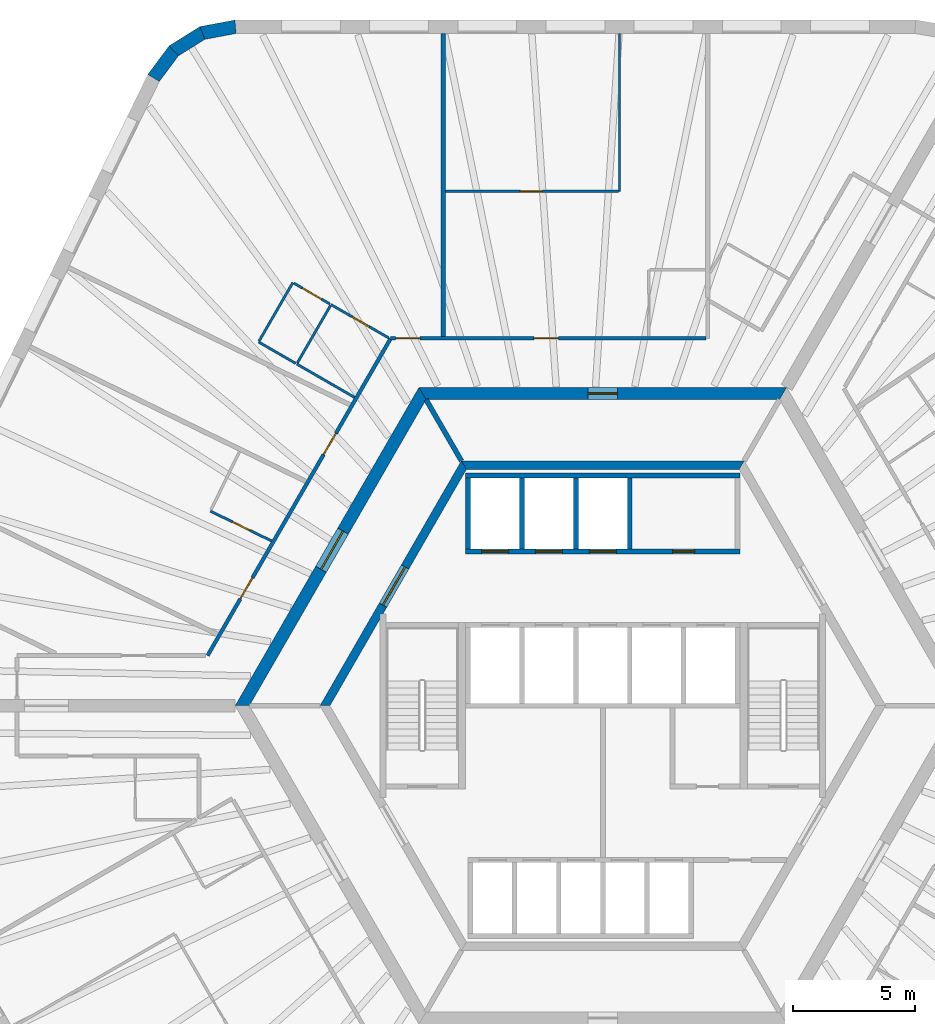
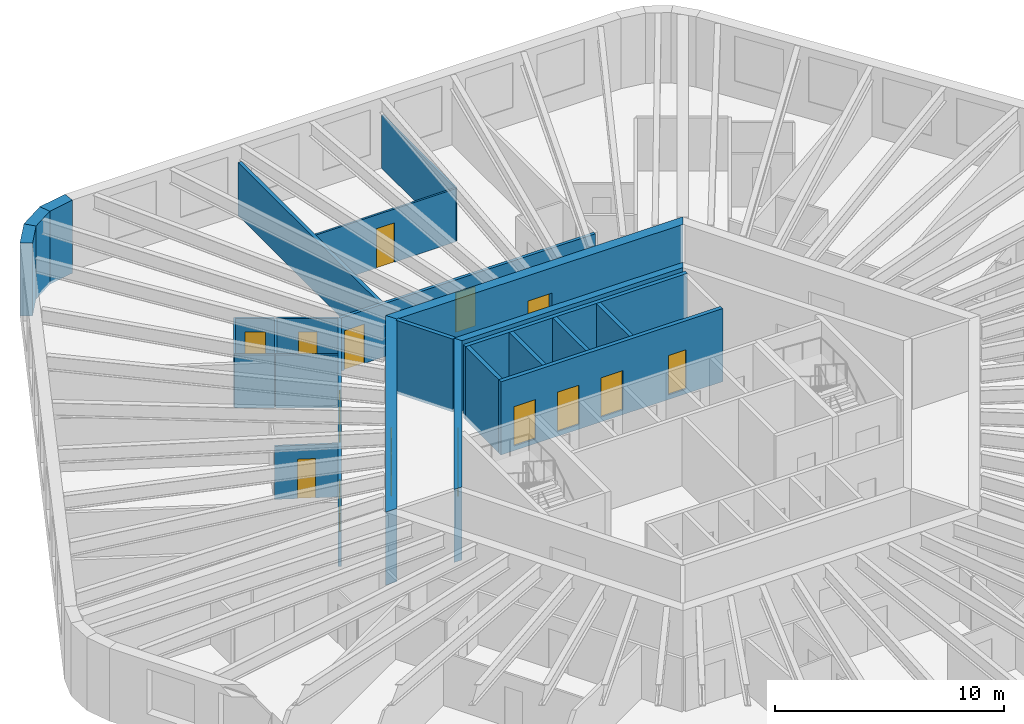
# One storey, part 7 of 10: 26 walls, 15 doors, 15 openings.
"""IFC4 building model written with IfcOpenShell, lengths in metres."""

from ifc_helpers import new_model, si_unit, direction, frame, frame_2d, origin, place, context, subcontext, project, spatial, polyline, rectangle, outline, extrude, material, layer, layer_set, type_object, element, fill, save


model = new_model("IFC4")

# Units and contexts
model_context = context("Model", 3, precision=1e-05, world=origin(), true_north=direction((0.0, 1.0)))
body_context = subcontext(model_context, "Body", "Model", "MODEL_VIEW")
ifc_project = project(units=[si_unit("LENGTHUNIT", "METRE"), si_unit("AREAUNIT", "SQUARE_METRE"), si_unit("VOLUMEUNIT", "CUBIC_METRE"), si_unit("PLANEANGLEUNIT", "RADIAN"), si_unit("MASSUNIT", "GRAM", prefix="KILO")], contexts=[model_context])

# Site, building, storey
site_placement = place(None, origin())
site = spatial("IfcSite", under=ifc_project, at=site_placement, CompositionType="ELEMENT")
building_placement = place(site_placement, origin())
building = spatial("IfcBuilding", under=site, at=building_placement, Name="Tarnside Tower", CompositionType="ELEMENT")
storey_placement = place(building_placement, frame((0.0, 0.0, 242.39990234375)))
storey = spatial("IfcBuildingStorey", under=building, at=storey_placement, Name="L58", CompositionType="ELEMENT", Elevation=242.39990234375)

# Wall
ifc_material_1 = material(Name="Gypsum board partition on steel studs", Category="steel")
ifc_layer_1 = layer(ifc_material_1, 0.10009765625)
ifc_layer_set_1 = layer_set([ifc_layer_1], Name="Bathroom wall 100")
wall_type_1 = type_object("IfcWallType", Name="Bathroom wall 100", PredefinedType="PARTITIONING", material=ifc_layer_set_1)
wall_1_placement = place(storey_placement, frame((-10.137939453125, 12.5908203125, 0.0), z_axis=(0.0, 0.0, 1.0), x_axis=(-0.866051307416, 0.49995513091, 0.0)))
element("IfcWall", 1, at=wall_1_placement, inside=storey, type_object=wall_type_1, Name="Bathroom wall 19062", PredefinedType="PARTITIONING", context=body_context, shape_type="SweptSolid", body=[
    extrude(rectangle(XDim=2.724853515625, YDim=0.10009765625, at=frame_2d((1.3623046875, 0.0))), origin(), (0.0, 0.0, 1.0), 2.837890625),
])

# Wall, opening, door
wall_2_placement = place(storey_placement, frame((-11.09765625, 16.378173828125, 0.0), z_axis=(0.0, 0.0, 1.0), x_axis=(0.866012511928, -0.500022328685, 0.0)))
wall_2 = element("IfcWall", 2, at=wall_2_placement, inside=storey, type_object=wall_type_1, Name="Bathroom wall 19063", PredefinedType="PARTITIONING", context=body_context, shape_type="SweptSolid", body=[
    extrude(rectangle(XDim=2.72509765625, YDim=0.10009765625, at=frame_2d((1.362548828125, 0.0))), origin(), (0.0, 0.0, 1.0), 2.837890625),
])
opening_1_placement = place(wall_2_placement, frame((1.0, 0.0, 0.0)))
opening_1 = element("IfcOpeningElement", 3, at=opening_1_placement, cuts=wall_2, Name="Opening D-B1", PredefinedType="OPENING", context=body_context, shape_type="SweptSolid", body=[
    extrude(rectangle(XDim=0.800048828125, YDim=2.10009765625, at=frame_2d((0.39990234375, 1.050048828125))), frame((0.0, 0.06005859375, 0.0), z_axis=(0.0, -1.0, 0.0), x_axis=(1.0, 0.0, 0.0)), (0.0, 0.0, 1.0), 0.1201171875),
])
ifc_material_2 = material(Name="Timber door leaf", Category="wood")
door_type_1 = type_object("IfcDoorType", Name="Bathroom door 800", OperationType="NOTDEFINED", PredefinedType="DOOR", material=ifc_material_2)
door_1_placement = place(opening_1_placement, origin())
door_1 = element("IfcDoor", 4, at=door_1_placement, inside=storey, type_object=door_type_1, Name="Bathroom door 19007", OperationType="SINGLE_SWING_LEFT", OverallHeight=2.10009765625, OverallWidth=0.800048828125, PredefinedType="DOOR", context=body_context, shape_type="SweptSolid", body=[
    extrude(rectangle(XDim=0.800048828125, YDim=2.10009765625, at=frame_2d((0.39990234375, 1.050048828125))), frame((0.0, 0.02490234375, 0.0), z_axis=(0.0, -1.0, 0.0), x_axis=(1.0, 0.0, 0.0)), (0.0, 0.0, 1.0), 0.050048828125),
])
fill(opening_1, door_1)

# Wall
wall_3_placement = place(storey_placement, frame((-11.122802734375, 16.334716796875, 0.0), z_axis=(0.0, 0.0, 1.0), x_axis=(-0.499980770555, -0.866036505625, 0.0)))
element("IfcWall", 5, at=wall_3_placement, inside=storey, type_object=wall_type_1, Name="Bathroom wall 19068", PredefinedType="PARTITIONING", context=body_context, shape_type="SweptSolid", body=[
    extrude(rectangle(XDim=2.69970703125, YDim=0.10009765625, at=frame_2d((1.349853515625, 0.0))), origin(), (0.0, 0.0, 1.0), 2.837890625),
])

# Wall, opening, door
wall_4_placement = place(storey_placement, frame((-13.523193359375, 6.72705078125, 0.0), z_axis=(0.0, 0.0, 1.0), x_axis=(-0.89880809785, 0.438342335668, 0.0)))
wall_4 = element("IfcWall", 6, at=wall_4_placement, inside=storey, type_object=wall_type_1, Name="Bathroom wall 19071", PredefinedType="PARTITIONING", context=body_context, shape_type="SweptSolid", body=[
    extrude(rectangle(XDim=2.781005859375, YDim=0.10009765625, at=frame_2d((1.390625, 0.0))), origin(), (0.0, 0.0, 1.0), 2.837890625),
])
opening_2_placement = place(wall_4_placement, frame((0.980712890625, 0.0, 0.0)))
opening_2 = element("IfcOpeningElement", 7, at=opening_2_placement, cuts=wall_4, Name="Opening D-B1", PredefinedType="OPENING", context=body_context, shape_type="SweptSolid", body=[
    extrude(rectangle(XDim=0.800048828125, YDim=2.10009765625, at=frame_2d((0.39990234375, 1.050048828125))), frame((0.0, 0.06005859375, 0.0), z_axis=(0.0, -1.0, 0.0), x_axis=(1.0, 0.0, 0.0)), (0.0, 0.0, 1.0), 0.1201171875),
])
door_2_placement = place(opening_2_placement, origin())
door_2 = element("IfcDoor", 8, at=door_2_placement, inside=storey, type_object=door_type_1, Name="Bathroom door 19011", OperationType="SINGLE_SWING_RIGHT", OverallHeight=2.10009765625, OverallWidth=0.800048828125, PredefinedType="DOOR", context=body_context, shape_type="SweptSolid", body=[
    extrude(rectangle(XDim=0.800048828125, YDim=2.10009765625, at=frame_2d((0.39990234375, 1.050048828125))), frame((0.0, 0.02490234375, 0.0), z_axis=(0.0, -1.0, 0.0), x_axis=(1.0, 0.0, 0.0)), (0.0, 0.0, 1.0), 0.050048828125),
])
fill(opening_2, door_2)

ifc_material_3 = material(Name="Concrete C50/60", Category="concrete")
ifc_layer_2 = layer(ifc_material_3, 0.35009765625)
ifc_layer_set_2 = layer_set([ifc_layer_2], Name="Core block wall 350 C50/60")
wall_type_2 = type_object("IfcWallType", Name="Core block wall 350 C50/60", PredefinedType="SHEAR", material=ifc_layer_set_2)
wall_5_placement = place(storey_placement, frame((-5.672607421875, 9.824951171875, -0.14990234375), z_axis=(0.0, 0.0, 1.0), x_axis=(-0.499995046907, -0.866028263435, 0.0)))
wall_5 = element("IfcWall", 9, at=wall_5_placement, inside=storey, type_object=wall_type_2, Name="L58 core block wall face 2", PredefinedType="SHEAR", context=body_context, shape_type="SweptSolid", body=[
    extrude(outline(polyline([(-0.10107421875, -0.175048828125), (11.44580078125, -0.175048828125), (11.24365234375, 0.175048828125), (0.10107421875, 0.175048828125), (-0.10107421875, -0.175048828125)])), origin(), (0.0, 0.0, 1.0), 3.89990234375),
])
opening_3_placement = place(wall_5_placement, frame((4.80126953125, 0.0, 0.14990234375)))
opening_3 = element("IfcOpeningElement", 10, at=opening_3_placement, cuts=wall_5, Name="Opening CD-LOB", PredefinedType="OPENING", context=body_context, shape_type="SweptSolid", body=[
    extrude(rectangle(XDim=1.800048828125, YDim=2.39990234375, at=frame_2d((0.89990234375, 1.199951171875))), frame((0.0, 0.18505859375, 0.0), z_axis=(0.0, -1.0, 0.0), x_axis=(1.0, 0.0, 0.0)), (0.0, 0.0, 1.0), 0.3701171875),
])
ifc_material_4 = material(Name="Steel fire door", Category="steel")
door_type_2 = type_object("IfcDoorType", Name="Lobby double door FD30S 1800x2400", OperationType="NOTDEFINED", PredefinedType="DOOR", material=ifc_material_4)
door_3_placement = place(opening_3_placement, origin())
door_3 = element("IfcDoor", 11, at=door_3_placement, inside=storey, type_object=door_type_2, Name="L58 lobby block door P1", OperationType="DOUBLE_DOOR_SINGLE_SWING", OverallHeight=2.39990234375, OverallWidth=1.800048828125, PredefinedType="DOOR", context=body_context, shape_type="SweptSolid", body=[
    extrude(rectangle(XDim=1.800048828125, YDim=2.39990234375, at=frame_2d((0.89990234375, 1.199951171875))), frame((0.0, 0.02490234375, 0.0), z_axis=(0.0, -1.0, 0.0), x_axis=(1.0, 0.0, 0.0)), (0.0, 0.0, 1.0), 0.050048828125),
])
fill(opening_3, door_3)

# Wall
wall_6_placement = place(storey_placement, frame((5.672607421875, 9.824951171875, -0.14990234375), z_axis=(0.0, 0.0, 1.0), x_axis=(-1.0, 0.0, 0.0)))
element("IfcWall", 12, at=wall_6_placement, inside=storey, type_object=wall_type_2, Name="L58 core block wall face 1", PredefinedType="SHEAR", context=body_context, shape_type="SweptSolid", body=[
    extrude(outline(polyline([(-0.10107421875, -0.175048828125), (11.4462890625, -0.175048828125), (11.244140625, 0.175048828125), (0.10107421875, 0.175048828125), (-0.10107421875, -0.175048828125)])), origin(), (0.0, 0.0, 1.0), 3.89990234375),
])

# Wall, opening, door
ifc_material_5 = material(Name="Concrete C70/85", Category="concrete")
ifc_layer_3 = layer(ifc_material_5, 0.5)
ifc_layer_set_3 = layer_set([ifc_layer_3], Name="Core wall Z2 500 C70/85")
wall_type_3 = type_object("IfcWallType", Name="Core wall Z2 500 C70/85", PredefinedType="SHEAR", material=ifc_layer_set_3)
wall_7_placement = place(storey_placement, frame((-7.361083984375, 12.75, -0.14990234375), z_axis=(0.0, 0.0, 1.0), x_axis=(-0.50000571537, -0.866022103989, 0.0)))
wall_7 = element("IfcWall", 13, at=wall_7_placement, inside=storey, type_object=wall_type_3, Name="L58 core wall face 2", PredefinedType="SHEAR", context=body_context, shape_type="SweptSolid", body=[
    extrude(outline(polyline([(-0.144287109375, -0.25), (14.86669921875, -0.25), (14.578125, 0.25), (0.144287109375, 0.25), (-0.144287109375, -0.25)])), origin(), (0.0, 0.0, 1.0), 3.89990234375),
])
opening_4_placement = place(wall_7_placement, frame((6.489990234375, 0.0, 0.14990234375)))
opening_4 = element("IfcOpeningElement", 14, at=opening_4_placement, cuts=wall_7, Name="Opening CD-LOB", PredefinedType="OPENING", context=body_context, shape_type="SweptSolid", body=[
    extrude(rectangle(XDim=1.800048828125, YDim=2.39990234375, at=frame_2d((0.89990234375, 1.199951171875))), frame((0.0, 0.260009765625, 0.0), z_axis=(0.0, -1.0, 0.0), x_axis=(1.0, 0.0, 0.0)), (0.0, 0.0, 1.0), 0.52001953125),
])
door_4_placement = place(opening_4_placement, origin())
door_4 = element("IfcDoor", 15, at=door_4_placement, inside=storey, type_object=door_type_2, Name="L58 core door P1", OperationType="DOUBLE_DOOR_SINGLE_SWING", OverallHeight=2.39990234375, OverallWidth=1.800048828125, PredefinedType="DOOR", context=body_context, shape_type="SweptSolid", body=[
    extrude(rectangle(XDim=1.800048828125, YDim=2.39990234375, at=frame_2d((0.89990234375, 1.199951171875))), frame((0.0, 0.02490234375, 0.0), z_axis=(0.0, -1.0, 0.0), x_axis=(1.0, 0.0, 0.0)), (0.0, 0.0, 1.0), 0.050048828125),
])
fill(opening_4, door_4)

wall_8_placement = place(storey_placement, frame((7.361083984375, 12.75, -0.14990234375), z_axis=(0.0, 0.0, 1.0), x_axis=(-1.0, 0.0, 0.0)))
wall_8 = element("IfcWall", 16, at=wall_8_placement, inside=storey, type_object=wall_type_3, Name="L58 core wall face 1", PredefinedType="SHEAR", context=body_context, shape_type="SweptSolid", body=[
    extrude(outline(polyline([(-0.144287109375, -0.25), (14.866455078125, -0.25), (14.577880859375, 0.25), (0.144287109375, 0.25), (-0.144287109375, -0.25)])), origin(), (0.0, 0.0, 1.0), 3.89990234375),
])
opening_5_placement = place(wall_8_placement, frame((6.76123046875, 0.0, 0.14990234375)))
opening_5 = element("IfcOpeningElement", 17, at=opening_5_placement, cuts=wall_8, Name="Opening CD-RSR", PredefinedType="OPENING", context=body_context, shape_type="SweptSolid", body=[
    extrude(rectangle(XDim=1.199951171875, YDim=2.39990234375, at=frame_2d((0.60009765625, 1.199951171875))), frame((0.0, 0.260009765625, 0.0), z_axis=(0.0, -1.0, 0.0), x_axis=(1.0, 0.0, 0.0)), (0.0, 0.0, 1.0), 0.52001953125),
])
door_type_3 = type_object("IfcDoorType", Name="Riser door FD60 1200x2400", OperationType="NOTDEFINED", PredefinedType="DOOR", material=ifc_material_4)
door_5_placement = place(opening_5_placement, origin())
door_5 = element("IfcDoor", 18, at=door_5_placement, inside=storey, type_object=door_type_3, Name="L58 core door S5", OperationType="SINGLE_SWING_LEFT", OverallHeight=2.39990234375, OverallWidth=1.199951171875, PredefinedType="DOOR", context=body_context, shape_type="SweptSolid", body=[
    extrude(rectangle(XDim=1.199951171875, YDim=2.39990234375, at=frame_2d((0.60009765625, 1.199951171875))), frame((0.0, 0.02490234375, 0.0), z_axis=(0.0, -1.0, 0.0), x_axis=(1.0, 0.0, 0.0)), (0.0, 0.0, 1.0), 0.050048828125),
])
fill(opening_5, door_5)

# Wall, openings, doors
ifc_layer_4 = layer(ifc_material_1, 0.14990234375)
ifc_layer_set_4 = layer_set([ifc_layer_4], Name="Corridor wall 150 EI 60")
wall_type_4 = type_object("IfcWallType", Name="Corridor wall 150 EI 60", PredefinedType="PARTITIONING", material=ifc_layer_set_4)
wall_9_placement = place(storey_placement, frame((4.20703125, 15.0, 0.0), z_axis=(0.0, 0.0, 1.0), x_axis=(-1.0, 0.0, 0.0)))
wall_9 = element("IfcWall", 19, at=wall_9_placement, inside=storey, type_object=wall_type_4, Name="Corridor wall 19005", PredefinedType="PARTITIONING", context=body_context, shape_type="SweptSolid", body=[
    extrude(rectangle(XDim=12.8671875, YDim=0.14990234375, at=frame_2d((6.43359375, 0.0))), origin(), (0.0, 0.0, 1.0), 2.837890625),
])
opening_6_placement = place(wall_9_placement, frame((6.02490234375, 0.0, 0.0)))
opening_6 = element("IfcOpeningElement", 20, at=opening_6_placement, cuts=wall_9, Name="Opening D-E1", PredefinedType="OPENING", context=body_context, shape_type="SweptSolid", body=[
    extrude(rectangle(XDim=1.0, YDim=2.10009765625, at=frame_2d((0.5, 1.050048828125))), frame((0.0, 0.0849609375, 0.0), z_axis=(0.0, -1.0, 0.0), x_axis=(1.0, 0.0, 0.0)), (0.0, 0.0, 1.0), 0.169921875),
])
opening_7_placement = place(wall_9_placement, frame((11.66748046875, 0.0, 0.0)))
opening_7 = element("IfcOpeningElement", 21, at=opening_7_placement, cuts=wall_9, Name="Opening D-E1", PredefinedType="OPENING", context=body_context, shape_type="SweptSolid", body=[
    extrude(rectangle(XDim=1.0, YDim=2.10009765625, at=frame_2d((0.5, 1.050048828125))), frame((0.0, 0.0849609375, 0.0), z_axis=(0.0, -1.0, 0.0), x_axis=(1.0, 0.0, 0.0)), (0.0, 0.0, 1.0), 0.169921875),
])
door_type_4 = type_object("IfcDoorType", Name="Unit entrance door 1000 FD30S", OperationType="NOTDEFINED", PredefinedType="DOOR", material=ifc_material_2)
door_6_placement = place(opening_6_placement, origin())
door_6 = element("IfcDoor", 22, at=door_6_placement, inside=storey, type_object=door_type_4, Name="Unit door 19003", OperationType="SINGLE_SWING_RIGHT", OverallHeight=2.10009765625, OverallWidth=1.0, PredefinedType="DOOR", context=body_context, shape_type="SweptSolid", body=[
    extrude(rectangle(XDim=1.0, YDim=2.10009765625, at=frame_2d((0.5, 1.050048828125))), frame((0.0, 0.02490234375, 0.0), z_axis=(0.0, -1.0, 0.0), x_axis=(1.0, 0.0, 0.0)), (0.0, 0.0, 1.0), 0.050048828125),
])
fill(opening_6, door_6)
door_7_placement = place(opening_7_placement, origin())
door_7 = element("IfcDoor", 23, at=door_7_placement, inside=storey, type_object=door_type_4, Name="Unit door 19006", OperationType="SINGLE_SWING_LEFT", OverallHeight=2.10009765625, OverallWidth=1.0, PredefinedType="DOOR", context=body_context, shape_type="SweptSolid", body=[
    extrude(rectangle(XDim=1.0, YDim=2.10009765625, at=frame_2d((0.5, 1.050048828125))), frame((0.0, 0.02490234375, 0.0), z_axis=(0.0, -1.0, 0.0), x_axis=(1.0, 0.0, 0.0)), (0.0, 0.0, 1.0), 0.050048828125),
])
fill(opening_7, door_7)

wall_10_placement = place(storey_placement, frame((-8.6728515625, 14.97802734375, 0.0), z_axis=(0.0, 0.0, 1.0), x_axis=(-0.50000700621, -0.86602135871, 0.0)))
wall_10 = element("IfcWall", 24, at=wall_10_placement, inside=storey, type_object=wall_type_4, Name="Corridor wall 19008", PredefinedType="PARTITIONING", context=body_context, shape_type="SweptSolid", body=[
    extrude(rectangle(XDim=14.927978515625, YDim=0.14990234375, at=frame_2d((7.4638671875, 0.0))), origin(), (0.0, 0.0, 1.0), 2.837890625),
])
opening_8_placement = place(wall_10_placement, frame((4.454345703125, 0.0, 0.0)))
opening_8 = element("IfcOpeningElement", 25, at=opening_8_placement, cuts=wall_10, Name="Opening D-E1", PredefinedType="OPENING", context=body_context, shape_type="SweptSolid", body=[
    extrude(rectangle(XDim=1.0, YDim=2.10009765625, at=frame_2d((0.5, 1.050048828125))), frame((0.0, 0.0849609375, 0.0), z_axis=(0.0, -1.0, 0.0), x_axis=(1.0, 0.0, 0.0)), (0.0, 0.0, 1.0), 0.169921875),
])
opening_9_placement = place(wall_10_placement, frame((11.26416015625, 0.0, 0.0)))
opening_9 = element("IfcOpeningElement", 26, at=opening_9_placement, cuts=wall_10, Name="Opening D-E1", PredefinedType="OPENING", context=body_context, shape_type="SweptSolid", body=[
    extrude(rectangle(XDim=1.0, YDim=2.10009765625, at=frame_2d((0.5, 1.050048828125))), frame((0.0, 0.0849609375, 0.0), z_axis=(0.0, -1.0, 0.0), x_axis=(1.0, 0.0, 0.0)), (0.0, 0.0, 1.0), 0.169921875),
])
door_8_placement = place(opening_8_placement, origin())
door_8 = element("IfcDoor", 27, at=door_8_placement, inside=storey, type_object=door_type_4, Name="Unit door 19009", OperationType="SINGLE_SWING_LEFT", OverallHeight=2.10009765625, OverallWidth=1.0, PredefinedType="DOOR", context=body_context, shape_type="SweptSolid", body=[
    extrude(rectangle(XDim=1.0, YDim=2.10009765625, at=frame_2d((0.5, 1.050048828125))), frame((0.0, 0.02490234375, 0.0), z_axis=(0.0, -1.0, 0.0), x_axis=(1.0, 0.0, 0.0)), (0.0, 0.0, 1.0), 0.050048828125),
])
fill(opening_8, door_8)
door_9_placement = place(opening_9_placement, origin())
door_9 = element("IfcDoor", 28, at=door_9_placement, inside=storey, type_object=door_type_4, Name="Unit door 19010", OperationType="SINGLE_SWING_LEFT", OverallHeight=2.10009765625, OverallWidth=1.0, PredefinedType="DOOR", context=body_context, shape_type="SweptSolid", body=[
    extrude(rectangle(XDim=1.0, YDim=2.10009765625, at=frame_2d((0.5, 1.050048828125))), frame((0.0, 0.02490234375, 0.0), z_axis=(0.0, -1.0, 0.0), x_axis=(1.0, 0.0, 0.0)), (0.0, 0.0, 1.0), 0.050048828125),
])
fill(opening_9, door_9)

# Wall
ifc_layer_5 = layer(ifc_material_1, 0.179931640625)
ifc_layer_set_5 = layer_set([ifc_layer_5], Name="Demising wall 180 EI 60")
wall_type_5 = type_object("IfcWallType", Name="Demising wall 180 EI 60", PredefinedType="PARTITIONING", material=ifc_layer_set_5)
wall_11_placement = place(storey_placement, frame((-6.517822265625, 27.449951171875, 0.0), z_axis=(0.0, 0.0, 1.0), x_axis=(0.0, -1.0, 0.0)))
element("IfcWall", 29, at=wall_11_placement, inside=storey, type_object=wall_type_5, Name="Demising wall 19060", PredefinedType="PARTITIONING", context=body_context, shape_type="SweptSolid", body=[
    extrude(rectangle(XDim=12.375, YDim=0.179931640625, at=frame_2d((6.1875, 0.0))), origin(), (0.0, 0.0, 1.0), 2.837890625),
])

# Wall, openings, doors
ifc_material_6 = material(Name="Concrete C40/50", Category="concrete")
ifc_layer_6 = layer(ifc_material_6, 0.199951171875)
ifc_layer_set_6 = layer_set([ifc_layer_6], Name="Lift shaft wall 200 C40/50")
wall_type_6 = type_object("IfcWallType", Name="Lift shaft wall 200 C40/50", PredefinedType="SHEAR", material=ifc_layer_set_6)
wall_12_placement = place(storey_placement, frame((-5.60009765625, 6.300048828125, -0.25), z_axis=(0.0, 0.0, 1.0), x_axis=(1.0, 0.0, 0.0)))
wall_12 = element("IfcWall", 30, at=wall_12_placement, inside=storey, type_object=wall_type_6, Name="L58 lift shaft front wall R1", PredefinedType="SHEAR", context=body_context, shape_type="SweptSolid", body=[
    extrude(rectangle(XDim=11.2001953125, YDim=0.199951171875, at=frame_2d((5.60009765625, 0.0))), origin(), (0.0, 0.0, 1.0), 3.900146484375),
])
opening_10_placement = place(wall_12_placement, frame((8.449951171875, 0.0, 0.25)))
opening_10 = element("IfcOpeningElement", 31, at=opening_10_placement, cuts=wall_12, Name="Opening CD-room", PredefinedType="OPENING", context=body_context, shape_type="SweptSolid", body=[
    extrude(rectangle(XDim=0.89990234375, YDim=2.10009765625, at=frame_2d((0.449951171875, 1.050048828125))), frame((0.0, 0.10986328125, 0.0), z_axis=(0.0, -1.0, 0.0), x_axis=(1.0, 0.0, 0.0)), (0.0, 0.0, 1.0), 0.219970703125),
])
opening_11_placement = place(wall_12_placement, frame((0.64990234375, 0.0, 0.25)))
opening_11 = element("IfcOpeningElement", 32, at=opening_11_placement, cuts=wall_12, Name="Opening LD", PredefinedType="OPENING", context=body_context, shape_type="SweptSolid", body=[
    extrude(rectangle(XDim=1.10009765625, YDim=2.10009765625, at=frame_2d((0.550048828125, 1.050048828125))), frame((0.0, 0.10986328125, 0.0), z_axis=(0.0, -1.0, 0.0), x_axis=(1.0, 0.0, 0.0)), (0.0, 0.0, 1.0), 0.219970703125),
])
opening_12_placement = place(wall_12_placement, frame((2.85009765625, 0.0, 0.25)))
opening_12 = element("IfcOpeningElement", 33, at=opening_12_placement, cuts=wall_12, Name="Opening LD", PredefinedType="OPENING", context=body_context, shape_type="SweptSolid", body=[
    extrude(rectangle(XDim=1.10009765625, YDim=2.10009765625, at=frame_2d((0.550048828125, 1.050048828125))), frame((0.0, 0.10986328125, 0.0), z_axis=(0.0, -1.0, 0.0), x_axis=(1.0, 0.0, 0.0)), (0.0, 0.0, 1.0), 0.219970703125),
])
opening_13_placement = place(wall_12_placement, frame((5.050048828125, 0.0, 0.25)))
opening_13 = element("IfcOpeningElement", 34, at=opening_13_placement, cuts=wall_12, Name="Opening LD", PredefinedType="OPENING", context=body_context, shape_type="SweptSolid", body=[
    extrude(rectangle(XDim=1.10009765625, YDim=2.10009765625, at=frame_2d((0.550048828125, 1.050048828125))), frame((0.0, 0.10986328125, 0.0), z_axis=(0.0, -1.0, 0.0), x_axis=(1.0, 0.0, 0.0)), (0.0, 0.0, 1.0), 0.219970703125),
])
ifc_material_7 = material(Name="Stainless steel", Category="steel")
door_type_5 = type_object("IfcDoorType", Name="Lift landing door 1100x2100", OperationType="NOTDEFINED", PredefinedType="DOOR", material=ifc_material_7)
door_10_placement = place(opening_11_placement, origin())
door_10 = element("IfcDoor", 35, at=door_10_placement, inside=storey, type_object=door_type_5, Name="Mid-rise lift 1 landing door L58", OperationType="SLIDING_TO_LEFT", OverallHeight=2.10009765625, OverallWidth=1.10009765625, PredefinedType="DOOR", context=body_context, shape_type="SweptSolid", body=[
    extrude(rectangle(XDim=1.10009765625, YDim=2.10009765625, at=frame_2d((0.550048828125, 1.050048828125))), frame((0.0, 0.02490234375, 0.0), z_axis=(0.0, -1.0, 0.0), x_axis=(1.0, 0.0, 0.0)), (0.0, 0.0, 1.0), 0.050048828125),
])
fill(opening_11, door_10)
door_11_placement = place(opening_12_placement, origin())
door_11 = element("IfcDoor", 36, at=door_11_placement, inside=storey, type_object=door_type_5, Name="Mid-rise lift 2 landing door L58", OperationType="SLIDING_TO_LEFT", OverallHeight=2.10009765625, OverallWidth=1.10009765625, PredefinedType="DOOR", context=body_context, shape_type="SweptSolid", body=[
    extrude(rectangle(XDim=1.10009765625, YDim=2.10009765625, at=frame_2d((0.550048828125, 1.050048828125))), frame((0.0, 0.02490234375, 0.0), z_axis=(0.0, -1.0, 0.0), x_axis=(1.0, 0.0, 0.0)), (0.0, 0.0, 1.0), 0.050048828125),
])
fill(opening_12, door_11)
door_12_placement = place(opening_13_placement, origin())
door_12 = element("IfcDoor", 37, at=door_12_placement, inside=storey, type_object=door_type_5, Name="Mid-rise lift 3 landing door L58", OperationType="SLIDING_TO_LEFT", OverallHeight=2.10009765625, OverallWidth=1.10009765625, PredefinedType="DOOR", context=body_context, shape_type="SweptSolid", body=[
    extrude(rectangle(XDim=1.10009765625, YDim=2.10009765625, at=frame_2d((0.550048828125, 1.050048828125))), frame((0.0, 0.02490234375, 0.0), z_axis=(0.0, -1.0, 0.0), x_axis=(1.0, 0.0, 0.0)), (0.0, 0.0, 1.0), 0.050048828125),
])
fill(opening_13, door_12)
door_type_6 = type_object("IfcDoorType", Name="Room door FD60 900x2100", OperationType="NOTDEFINED", PredefinedType="DOOR", material=ifc_material_4)
door_13_placement = place(opening_10_placement, origin())
door_13 = element("IfcDoor", 38, at=door_13_placement, inside=storey, type_object=door_type_6, Name="L58 core room door FC1", OperationType="SINGLE_SWING_LEFT", OverallHeight=2.10009765625, OverallWidth=0.89990234375, PredefinedType="DOOR", context=body_context, shape_type="SweptSolid", body=[
    extrude(rectangle(XDim=0.89990234375, YDim=2.10009765625, at=frame_2d((0.449951171875, 1.050048828125))), frame((0.0, 0.02490234375, 0.0), z_axis=(0.0, -1.0, 0.0), x_axis=(1.0, 0.0, 0.0)), (0.0, 0.0, 1.0), 0.050048828125),
])
fill(opening_10, door_13)

# Walls
wall_13_placement = place(storey_placement, frame((-5.60009765625, 9.39990234375, -0.25), z_axis=(0.0, 0.0, 1.0), x_axis=(1.0, 0.0, 0.0)))
element("IfcWall", 39, at=wall_13_placement, inside=storey, type_object=wall_type_6, Name="L58 lift shaft back wall R1", PredefinedType="SHEAR", context=body_context, shape_type="SweptSolid", body=[
    extrude(rectangle(XDim=11.2001953125, YDim=0.199951171875, at=frame_2d((5.60009765625, 0.0))), origin(), (0.0, 0.0, 1.0), 3.900146484375),
])
for number, where, z_axis, x_axis, name in (
    (40, (-5.5, 6.39990234375, -0.25), (0.0, 0.0, 1.0), (0.0, 1.0, 0.0), "L58 lift shaft partition R11"),
    (41, (-3.300048828125, 6.39990234375, -0.25), (0.0, 0.0, 1.0), (0.0, 1.0, 0.0), "L58 lift shaft partition R12"),
    (42, (-1.10009765625, 6.39990234375, -0.25), (0.0, 0.0, 1.0), (0.0, 1.0, 0.0), "L58 lift shaft partition R13"),
    (43, (1.10009765625, 6.39990234375, -0.25), (0.0, 0.0, 1.0), (0.0, 1.0, 0.0), "L58 lift shaft partition R14"),
):
    element("IfcWall", number, at=place(storey_placement, frame(where, z_axis=z_axis, x_axis=x_axis)), inside=storey, type_object=wall_type_6, Name=name, PredefinedType="SHEAR", context=body_context, shape_type="SweptSolid", body=[
        extrude(rectangle(XDim=2.900146484375, YDim=0.199951171875, at=frame_2d((1.4501953125, 0.0))), origin(), (0.0, 0.0, 1.0), 3.900146484375),
    ])
wall_14_placement = place(storey_placement, frame((-5.7734375, 10.0, -0.14990234375), z_axis=(0.0, 0.0, 1.0), x_axis=(-0.499995765644, 0.866027848477, 0.0)))
element("IfcWall", 44, at=wall_14_placement, inside=storey, type_object=wall_type_6, Name="L58 core partition AR120", PredefinedType="SHEAR", context=body_context, shape_type="SweptSolid", body=[
    extrude(rectangle(XDim=2.88671875, YDim=0.199951171875, at=frame_2d((1.443359375, 0.0))), origin(), (0.0, 0.0, 1.0), 3.89990234375),
])
ifc_layer_7 = layer(ifc_material_1, 0.10009765625)
ifc_layer_set_7 = layer_set([ifc_layer_7], Name="Partition 100")
wall_type_7 = type_object("IfcWallType", Name="Partition 100", PredefinedType="PARTITIONING", material=ifc_layer_set_7)
wall_15_placement = place(storey_placement, frame((0.68212890625, 27.449951171875, 0.0), z_axis=(0.0, 0.0, 1.0), x_axis=(0.0, -1.0, 0.0)))
element("IfcWall", 45, at=wall_15_placement, inside=storey, type_object=wall_type_7, Name="Partition wall 19058", PredefinedType="PARTITIONING", context=body_context, shape_type="SweptSolid", body=[
    extrude(rectangle(XDim=6.449951171875, YDim=0.10009765625, at=frame_2d((3.22509765625, 0.0))), origin(), (0.0, 0.0, 1.0), 2.837890625),
])

# Wall, opening, door
wall_16_placement = place(storey_placement, frame((0.632080078125, 21.0, 0.0), z_axis=(0.0, 0.0, 1.0), x_axis=(-1.0, 0.0, 0.0)))
wall_16 = element("IfcWall", 46, at=wall_16_placement, inside=storey, type_object=wall_type_7, Name="Partition wall 19059", PredefinedType="PARTITIONING", context=body_context, shape_type="SweptSolid", body=[
    extrude(rectangle(XDim=7.06005859375, YDim=0.10009765625, at=frame_2d((3.530029296875, 0.0))), origin(), (0.0, 0.0, 1.0), 2.837890625),
])
opening_14_placement = place(wall_16_placement, frame((3.10009765625, 0.0, 0.0)))
opening_14 = element("IfcOpeningElement", 47, at=opening_14_placement, cuts=wall_16, Name="Opening D-I1", PredefinedType="OPENING", context=body_context, shape_type="SweptSolid", body=[
    extrude(rectangle(XDim=0.89990234375, YDim=2.10009765625, at=frame_2d((0.449951171875, 1.050048828125))), frame((0.0, 0.06005859375, 0.0), z_axis=(0.0, -1.0, 0.0), x_axis=(1.0, 0.0, 0.0)), (0.0, 0.0, 1.0), 0.1201171875),
])
door_type_7 = type_object("IfcDoorType", Name="Internal door 900", OperationType="NOTDEFINED", PredefinedType="DOOR", material=ifc_material_2)
door_14_placement = place(opening_14_placement, origin())
door_14 = element("IfcDoor", 48, at=door_14_placement, inside=storey, type_object=door_type_7, Name="Internal door 19005", OperationType="SINGLE_SWING_LEFT", OverallHeight=2.10009765625, OverallWidth=0.89990234375, PredefinedType="DOOR", context=body_context, shape_type="SweptSolid", body=[
    extrude(rectangle(XDim=0.89990234375, YDim=2.10009765625, at=frame_2d((0.449951171875, 1.050048828125))), frame((0.0, 0.02490234375, 0.0), z_axis=(0.0, -1.0, 0.0), x_axis=(1.0, 0.0, 0.0)), (0.0, 0.0, 1.0), 0.050048828125),
])
fill(opening_14, door_14)

# Walls
wall_17_placement = place(storey_placement, frame((-12.541015625, 13.978271484375, 0.0), z_axis=(0.0, 0.0, 1.0), x_axis=(-0.866036909293, 0.499980071345, 0.0)))
element("IfcWall", 49, at=wall_17_placement, inside=storey, type_object=wall_type_7, Name="Partition wall 19064", PredefinedType="PARTITIONING", context=body_context, shape_type="SweptSolid", body=[
    extrude(rectangle(XDim=1.75, YDim=0.10009765625, at=frame_2d((0.875, 0.0))), origin(), (0.0, 0.0, 1.0), 2.837890625),
])
wall_18_placement = place(storey_placement, frame((-14.031494140625, 14.896484375, 0.0), z_axis=(0.0, 0.0, 1.0), x_axis=(0.499996545922, 0.866027397988, 0.0)))
element("IfcWall", 50, at=wall_18_placement, inside=storey, type_object=wall_type_7, Name="Partition wall 19065", PredefinedType="PARTITIONING", context=body_context, shape_type="SweptSolid", body=[
    extrude(rectangle(XDim=2.75, YDim=0.10009765625, at=frame_2d((1.375, 0.0))), origin(), (0.0, 0.0, 1.0), 2.837890625),
])

# Wall, opening, door
wall_19_placement = place(storey_placement, frame((-12.61328125, 17.253173828125, 0.0), z_axis=(0.0, 0.0, 1.0), x_axis=(0.865989465428, -0.500062241894, 0.0)))
wall_19 = element("IfcWall", 51, at=wall_19_placement, inside=storey, type_object=wall_type_7, Name="Partition wall 19066", PredefinedType="PARTITIONING", context=body_context, shape_type="SweptSolid", body=[
    extrude(rectangle(XDim=1.699951171875, YDim=0.10009765625, at=frame_2d((0.85009765625, 0.0))), origin(), (0.0, 0.0, 1.0), 2.837890625),
])
opening_15_placement = place(wall_19_placement, frame((0.39990234375, 0.0, 0.0)))
opening_15 = element("IfcOpeningElement", 52, at=opening_15_placement, cuts=wall_19, Name="Opening D-I1", PredefinedType="OPENING", context=body_context, shape_type="SweptSolid", body=[
    extrude(rectangle(XDim=0.89990234375, YDim=2.10009765625, at=frame_2d((0.449951171875, 1.050048828125))), frame((0.0, 0.06005859375, 0.0), z_axis=(0.0, -1.0, 0.0), x_axis=(1.0, 0.0, 0.0)), (0.0, 0.0, 1.0), 0.1201171875),
])
door_15_placement = place(opening_15_placement, origin())
door_15 = element("IfcDoor", 53, at=door_15_placement, inside=storey, type_object=door_type_7, Name="Internal door 19008", OperationType="SINGLE_SWING_LEFT", OverallHeight=2.10009765625, OverallWidth=0.89990234375, PredefinedType="DOOR", context=body_context, shape_type="SweptSolid", body=[
    extrude(rectangle(XDim=0.89990234375, YDim=2.10009765625, at=frame_2d((0.449951171875, 1.050048828125))), frame((0.0, 0.02490234375, 0.0), z_axis=(0.0, -1.0, 0.0), x_axis=(1.0, 0.0, 0.0)), (0.0, 0.0, 1.0), 0.050048828125),
])
fill(opening_15, door_15)

# Walls
ifc_material_8 = material(Name="Facing brick", Category="masonry")
ifc_layer_8 = layer(ifc_material_8, 0.10205078125)
ifc_material_9 = material(Name="Concrete C60/75 precast", Category="concrete")
ifc_layer_9 = layer(ifc_material_9, 0.347900390625)
ifc_material_10 = material(Name="Mineral wool insulation")
ifc_layer_10 = layer(ifc_material_10, 0.10009765625)
ifc_layer_set_8 = layer_set([ifc_layer_8, ifc_layer_9, ifc_layer_10], Name="Tube wall 550 brick faced")
wall_type_8 = type_object("IfcWallType", Name="Tube wall 550 brick faced", PredefinedType="SOLIDWALL", material=ifc_layer_set_8)
wall_20_placement = place(storey_placement, frame((-14.996826171875, 27.72509765625, -0.14990234375), z_axis=(0.0, 0.0, 1.0), x_axis=(-0.982705443133, -0.185175624845, 0.0)))
element("IfcWall", 54, at=wall_20_placement, inside=storey, type_object=wall_type_8, Name="Tube wall L58 F1 chord 01", PredefinedType="SOLIDWALL", context=body_context, shape_type="SweptSolid", body=[
    extrude(outline(polyline([(-0.025634765625, -0.27490234375), (1.430908203125, -0.27490234375), (1.327392578125, 0.27490234375), (0.025634765625, 0.27490234375), (-0.025634765625, -0.27490234375)])), origin(), (0.0, 0.0, 1.0), 3.89990234375),
])
wall_21_placement = place(storey_placement, frame((-16.35205078125, 27.4697265625, -0.14990234375), z_axis=(0.0, 0.0, 1.0), x_axis=(-0.848057977594, -0.5299034503, 0.0)))
element("IfcWall", 55, at=wall_21_placement, inside=storey, type_object=wall_type_8, Name="Tube wall L58 F1 chord 02", PredefinedType="SOLIDWALL", context=body_context, shape_type="SweptSolid", body=[
    extrude(outline(polyline([(-0.0517578125, -0.27490234375), (1.4306640625, -0.27490234375), (1.3271484375, 0.27490234375), (0.0517578125, 0.27490234375), (-0.0517578125, -0.27490234375)])), origin(), (0.0, 0.0, 1.0), 3.89990234375),
])
wall_22_placement = place(storey_placement, frame((-17.521484375, 26.739013671875, -0.14990234375), z_axis=(0.0, 0.0, 1.0), x_axis=(-0.597135295884, -0.802140535324, 0.0)))
element("IfcWall", 56, at=wall_22_placement, inside=storey, type_object=wall_type_8, Name="Tube wall L58 F1 chord 03", PredefinedType="SOLIDWALL", context=body_context, shape_type="SweptSolid", body=[
    extrude(outline(polyline([(-0.0517578125, -0.27490234375), (1.40478515625, -0.27490234375), (1.353515625, 0.27490234375), (0.0517578125, 0.27490234375), (-0.0517578125, -0.27490234375)])), origin(), (0.0, 0.0, 1.0), 3.89990234375),
])

save(model, "model.ifc")
